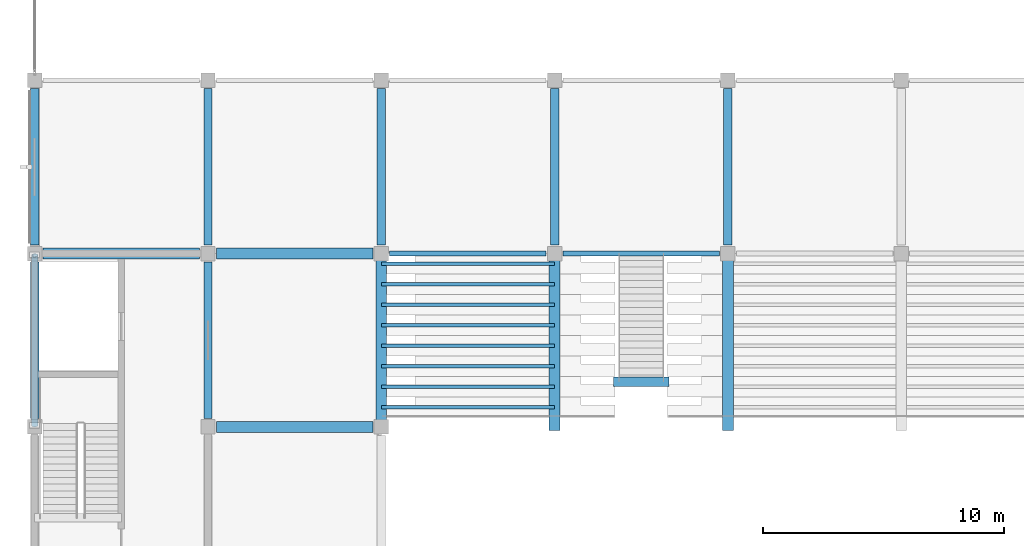
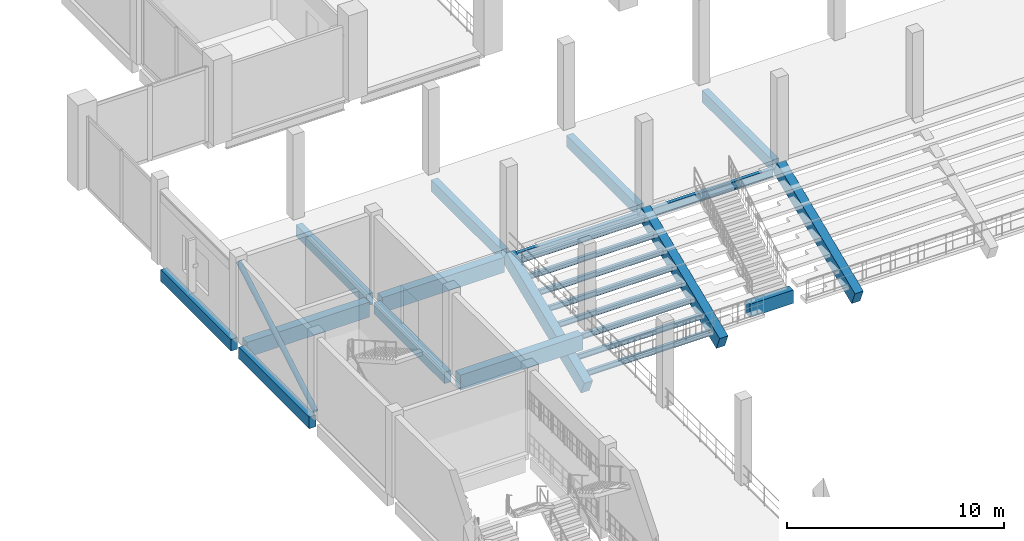
# One storey, part 23 of 99: 24 beams, 1 member.
"""IFC4 building model written with IfcOpenShell, lengths in metres."""

from ifc_helpers import new_model, si_unit, direction, frame, origin, origin_2d, place, context, subcontext, project, spatial, rectangle, hollow_circle, i_section, extrude, material, material_profile, profile_set, type_object, element, save


model = new_model("IFC4")

# Units and contexts
model_context = context("Model", 3, precision=1e-05, world=origin(), true_north=direction((0.0, 1.0)))
body_context = subcontext(model_context, "Body", "Model", "MODEL_VIEW")
ifc_project = project(units=[si_unit("LENGTHUNIT", "METRE"), si_unit("AREAUNIT", "SQUARE_METRE"), si_unit("VOLUMEUNIT", "CUBIC_METRE"), si_unit("PLANEANGLEUNIT", "RADIAN"), si_unit("MASSUNIT", "GRAM", prefix="KILO")], contexts=[model_context])

# Site, building, storey
site_placement = place(None, origin())
site = spatial("IfcSite", under=ifc_project, at=site_placement, CompositionType="ELEMENT")
building_placement = place(site_placement, origin())
building = spatial("IfcBuilding", under=site, at=building_placement, Name="Vesperath Aquatics Centre", CompositionType="ELEMENT")
storey_placement = place(building_placement, frame((0.0, 0.0, 5.39990234375)))
storey = spatial("IfcBuildingStorey", under=building, at=storey_placement, Name="L01", CompositionType="ELEMENT", Elevation=5.39990234375)

# Beams
ifc_material_1 = material(Name="Concrete C35", Category="concrete")
ifc_material_profile_1 = material_profile(ifc_material_1, rectangle(XDim=0.449951171875, YDim=0.85009765625, at=origin_2d()), Name="RC 450x850")
ifc_profile_set_1 = profile_set([ifc_material_profile_1], Name="Concrete C35")
beam_type_1 = type_object("IfcBeamType", Name="BM-G03", PredefinedType="BEAM", material=ifc_profile_set_1)
for number, where, z_axis, x_axis, name in (
    (1, (0.35009765625, 72.0, -0.684814453125), (1.0, 0.0, 0.0), (0.0, 1.0, 0.0), "Floor Girder B03 L01 L 1-2"),
    (2, (7.550048828125, 64.800048828125, -0.684814453125), (1.0, 0.0, 0.0), (0.0, 1.0, 0.0), "Floor Girder B03 L01 K 2-3"),
    (3, (7.550048828125, 72.0, -0.684814453125), (1.0, 0.0, 0.0), (0.0, 1.0, 0.0), "Floor Girder B03 L01 L 2-3"),
):
    element("IfcBeam", number, at=place(storey_placement, frame(where, z_axis=z_axis, x_axis=x_axis)), inside=storey, type_object=beam_type_1, Name=name, PredefinedType="BEAM", context=body_context, shape_type="SweptSolid", body=[
        extrude(rectangle(XDim=0.449951171875, YDim=0.85009765625, at=origin_2d()), origin(), (0.0, 0.0, 1.0), 6.5),
    ])
ifc_material_profile_2 = material_profile(ifc_material_1, rectangle(XDim=0.39990234375, YDim=0.75, at=origin_2d()), Name="RC 400x750")
ifc_profile_set_2 = profile_set([ifc_material_profile_2], Name="Concrete C35")
beam_type_2 = type_object("IfcBeamType", Name="BM-G04", PredefinedType="BEAM", material=ifc_profile_set_2)
beam_placement = place(storey_placement, frame((24.050048828125, 66.679931640625, -3.574951171875), z_axis=(1.0, 0.0, 0.0), x_axis=(0.0, 1.0, 0.0)))
element("IfcBeam", 4, at=beam_placement, inside=storey, type_object=beam_type_2, Name="Vomitory VOM-04 Portal Bearer Beam B04", PredefinedType="BEAM", context=body_context, shape_type="SweptSolid", body=[
    extrude(rectangle(XDim=0.39990234375, YDim=0.75, at=origin_2d()), origin(), (0.0, 0.0, 1.0), 2.300048828125),
])
ifc_material_profile_3 = material_profile(ifc_material_1, rectangle(XDim=0.35009765625, YDim=0.64990234375, at=origin_2d()), Name="RC 350x650")
ifc_profile_set_3 = profile_set([ifc_material_profile_3], Name="Concrete C35")
beam_type_3 = type_object("IfcBeamType", Name="BM-G05", PredefinedType="BEAM", material=ifc_profile_set_3)
for number, where, z_axis, x_axis, name in (
    (5, (0.0, 65.14990234375, -0.5849609375), (0.0, 1.0, 0.0), (-1.0, 0.0, 0.0), "Floor Girder B05 L01 1 K-L"),
    (6, (0.0, 72.35009765625, -0.5849609375), (0.0, 1.0, 0.0), (-1.0, 0.0, 0.0), "Floor Girder B05 L01 1 L-M"),
    (7, (7.199951171875, 65.14990234375, -0.5849609375), (0.0, 1.0, 0.0), (-1.0, 0.0, 0.0), "Floor Girder B05 L01 2 K-L"),
    (8, (7.199951171875, 72.35009765625, -0.5849609375), (0.0, 1.0, 0.0), (-1.0, 0.0, 0.0), "Floor Girder B05 L01 2 L-M"),
    (9, (14.39990234375, 72.35009765625, -0.5849609375), (0.0, 1.0, 0.0), (-1.0, 0.0, 0.0), "Floor Girder B05 L01 3 L-M"),
    (10, (21.60009765625, 72.35009765625, -0.5849609375), (0.0, 1.0, 0.0), (-1.0, 0.0, 0.0), "Floor Girder B05 L01 4 L-M"),
    (11, (28.800048828125, 72.35009765625, -0.5849609375), (0.0, 1.0, 0.0), (-1.0, 0.0, 0.0), "Floor Girder B05 L01 5 L-M"),
):
    element("IfcBeam", number, at=place(storey_placement, frame(where, z_axis=z_axis, x_axis=x_axis)), inside=storey, type_object=beam_type_3, Name=name, PredefinedType="BEAM", context=body_context, shape_type="SweptSolid", body=[
        extrude(rectangle(XDim=0.35009765625, YDim=0.64990234375, at=origin_2d()), origin(), (0.0, 0.0, 1.0), 6.5),
    ])
ifc_material_2 = material(Name="Steel Q355C", Category="steel")
ifc_material_profile_4 = material_profile(ifc_material_2, i_section(OverallWidth=0.14990234375, OverallDepth=0.300048828125, WebThickness=0.006591796875, FlangeThickness=0.009033203125, FilletRadius=0.012939453125, at=origin_2d()), Name="HN 300x150x6.5x9")
ifc_profile_set_4 = profile_set([ifc_material_profile_4], Name="Steel Q355C")
beam_type_4 = type_object("IfcBeamType", Name="BM-J06", PredefinedType="JOIST", material=ifc_profile_set_4)
for number, where, z_axis, x_axis, name in (
    (12, (14.39990234375, 71.574951171875, -0.52978515625), (1.0, 0.0, 0.0), (0.0, 1.0, 0.0), "Lower Tier Bearer Beam J06 N-R1-B1M"),
    (13, (14.39990234375, 70.72509765625, -0.929931640625), (1.0, 0.0, 0.0), (0.0, 1.0, 0.0), "Lower Tier Bearer Beam J06 N-R2-B1M"),
    (14, (14.39990234375, 69.875, -1.329833984375), (1.0, 0.0, 0.0), (0.0, 1.0, 0.0), "Lower Tier Bearer Beam J06 N-R3-B1M"),
    (15, (14.39990234375, 69.02490234375, -1.72998046875), (1.0, 0.0, 0.0), (0.0, 1.0, 0.0), "Lower Tier Bearer Beam J06 N-R4-B1M"),
    (16, (14.39990234375, 68.175048828125, -2.1298828125), (1.0, 0.0, 0.0), (0.0, 1.0, 0.0), "Lower Tier Bearer Beam J06 N-R5-B1M"),
    (17, (14.39990234375, 67.324951171875, -2.52978515625), (1.0, 0.0, 0.0), (0.0, 1.0, 0.0), "Lower Tier Bearer Beam J06 N-R6-B1M"),
    (18, (14.39990234375, 66.47509765625, -2.929931640625), (1.0, 0.0, 0.0), (0.0, 1.0, 0.0), "Lower Tier Bearer Beam J06 N-R7-B1M"),
    (19, (14.39990234375, 65.625, -3.329833984375), (1.0, 0.0, 0.0), (0.0, 1.0, 0.0), "Lower Tier Bearer Beam J06 N-R8-B1M"),
):
    element("IfcBeam", number, at=place(storey_placement, frame(where, z_axis=z_axis, x_axis=x_axis)), inside=storey, type_object=beam_type_4, Name=name, PredefinedType="JOIST", context=body_context, shape_type="SweptSolid", body=[
        extrude(i_section(OverallWidth=0.14990234375, OverallDepth=0.300048828125, WebThickness=0.006591796875, FlangeThickness=0.009033203125, FilletRadius=0.012939453125, at=origin_2d()), origin(), (0.0, 0.0, 1.0), 7.2001953125),
    ])
ifc_material_profile_5 = material_profile(ifc_material_1, rectangle(XDim=0.449951171875, YDim=0.800048828125, at=origin_2d()), Name="RC 450x800")
ifc_profile_set_5 = profile_set([ifc_material_profile_5], Name="Concrete C35")
beam_type_5 = type_object("IfcBeamType", Name="BM-RK01", PredefinedType="USERDEFINED", material=ifc_profile_set_5)
for number, where, z_axis, x_axis, name in (
    (20, (14.39990234375, 72.0, -0.449951171875), (0.0, -0.923075997031, -0.384617607118), (1.0, 0.0, 0.0), "Lower Stand RAKER Beam RK01 North 3"),
    (21, (21.60009765625, 72.0, -0.449951171875), (0.0, -0.923075997031, -0.384617607118), (1.0, 0.0, 0.0), "Lower Stand RAKER Beam RK01 North 4"),
    (22, (28.800048828125, 72.0, -0.449951171875), (0.0, -0.923075997031, -0.384617607118), (1.0, 0.0, 0.0), "Lower Stand RAKER Beam RK01 North 5"),
):
    element("IfcBeam", number, at=place(storey_placement, frame(where, z_axis=z_axis, x_axis=x_axis)), inside=storey, type_object=beam_type_5, Name=name, ObjectType="RAKER", PredefinedType="USERDEFINED", context=body_context, shape_type="SweptSolid", body=[
        extrude(rectangle(XDim=0.449951171875, YDim=0.800048828125, at=origin_2d()), origin(), (0.0, 0.0, 1.0), 7.800048828125),
    ])
ifc_material_3 = material(Name="Steel Q355D", Category="steel")
ifc_material_profile_6 = material_profile(ifc_material_3, i_section(OverallWidth=0.199951171875, OverallDepth=0.5, WebThickness=0.010009765625, FlangeThickness=0.01611328125, FilletRadius=0.02001953125, at=origin_2d()), Name="HN 500x200x10x16")
ifc_profile_set_6 = profile_set([ifc_material_profile_6], Name="Steel Q355D")
beam_type_6 = type_object("IfcBeamType", Name="BM-SP01", PredefinedType="SPANDREL", material=ifc_profile_set_6)
for number, where, z_axis, x_axis, name in (
    (23, (14.75, 72.0, -0.635009765625), (1.0, 0.0, 0.0), (0.0, 1.0, 0.0), "Floor Girder SP01 L01 L 3-4"),
    (24, (21.949951171875, 72.0, -0.635009765625), (1.0, 0.0, 0.0), (0.0, 1.0, 0.0), "Floor Girder SP01 L01 L 4-5"),
):
    element("IfcBeam", number, at=place(storey_placement, frame(where, z_axis=z_axis, x_axis=x_axis)), inside=storey, type_object=beam_type_6, Name=name, PredefinedType="SPANDREL", context=body_context, shape_type="SweptSolid", body=[
        extrude(i_section(OverallWidth=0.199951171875, OverallDepth=0.5, WebThickness=0.010009765625, FlangeThickness=0.01611328125, FilletRadius=0.02001953125, at=origin_2d()), origin(), (0.0, 0.0, 1.0), 6.5),
    ])

# Member
ifc_material_profile_7 = material_profile(ifc_material_3, hollow_circle(Radius=0.136474609375, WallThickness=0.011962890625, at=origin_2d()), Name="CHS 273.0x12")
ifc_profile_set_7 = profile_set([ifc_material_profile_7], Name="Steel Q355D")
member_type = type_object("IfcMemberType", Name="MB-TS02", PredefinedType="STRUT", material=ifc_profile_set_7)
member_placement = place(storey_placement, frame((0.0, 64.869140625, 0.1904296875), z_axis=(0.0, 0.863777817794, 0.503872882269), x_axis=(-1.0, 0.0, 0.0)))
element("IfcMember", 25, at=member_placement, inside=storey, type_object=member_type, Name="Lateral Braced Frame Strut C2_W L01", PredefinedType="STRUT", context=body_context, shape_type="SweptSolid", body=[
    extrude(hollow_circle(Radius=0.136474609375, WallThickness=0.011962890625, at=origin_2d()), origin(), (0.0, 0.0, 1.0), 8.175537109375),
])

save(model, "model.ifc")
